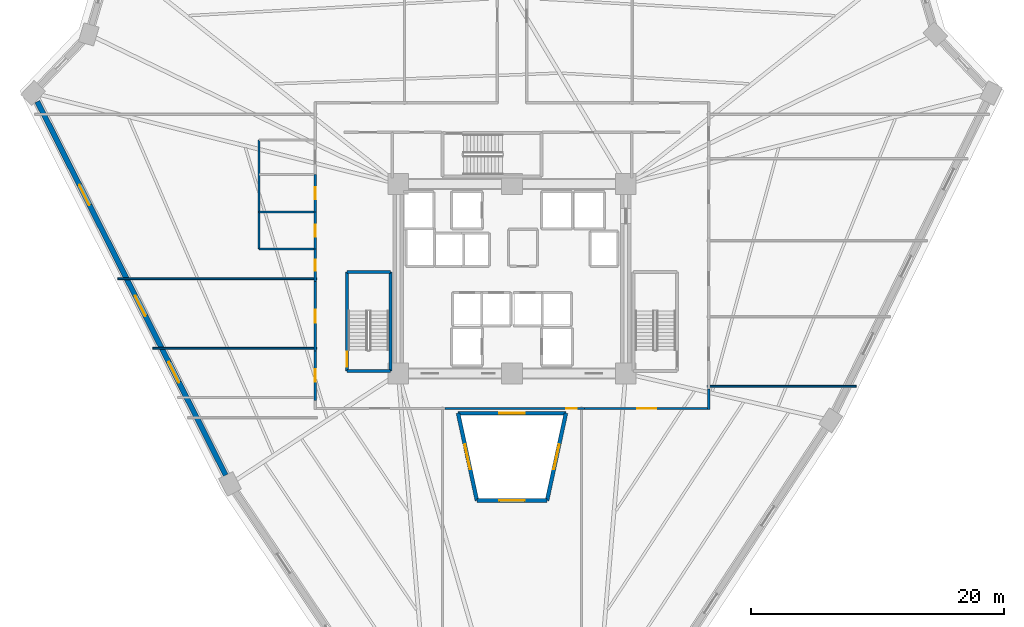
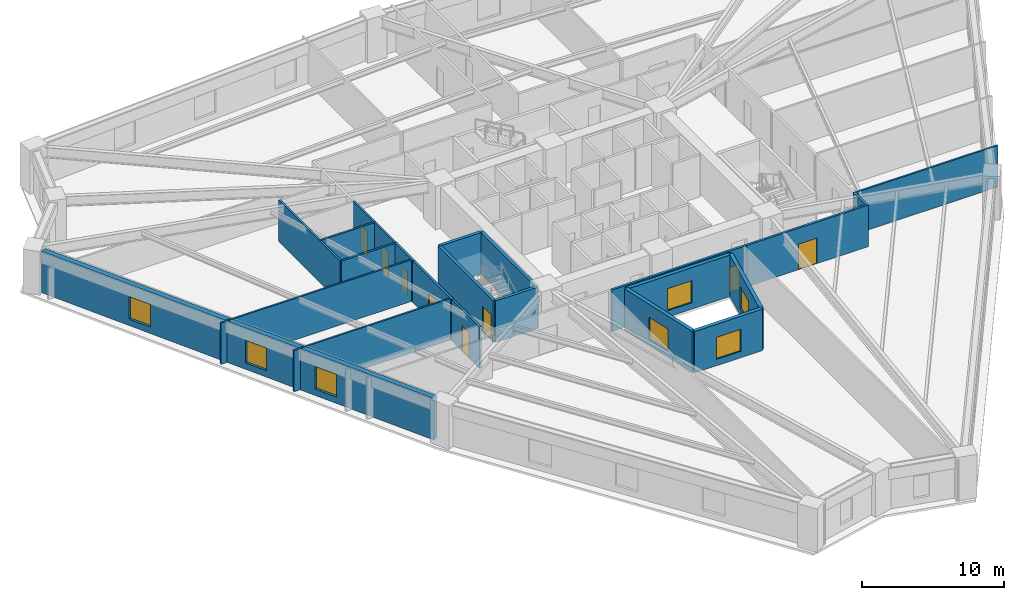
# One storey, part 3 of 8: 23 walls, 8 doors, 7 windows, 15 openings.
"""IFC4 building model written with IfcOpenShell, lengths in metres."""

from ifc_helpers import new_model, si_unit, direction, frame, frame_2d, origin, place, context, subcontext, project, spatial, rectangle, extrude, source, transform, mapped, material, layer, layer_set, type_object, element, fill, save


model = new_model("IFC4")

# Units and contexts
model_context = context("Model", 3, precision=1e-05, world=origin(), true_north=direction((0.0, 1.0)))
body_context = subcontext(model_context, "Body", "Model", "MODEL_VIEW")
ifc_project = project(units=[si_unit("LENGTHUNIT", "METRE"), si_unit("AREAUNIT", "SQUARE_METRE"), si_unit("VOLUMEUNIT", "CUBIC_METRE"), si_unit("PLANEANGLEUNIT", "RADIAN"), si_unit("MASSUNIT", "GRAM", prefix="KILO")], contexts=[model_context])

# Site, building, storey
site_placement = place(None, origin())
site = spatial("IfcSite", under=ifc_project, at=site_placement, CompositionType="ELEMENT")
building_placement = place(site_placement, origin())
building = spatial("IfcBuilding", under=site, at=building_placement, Name="Liaohun Quay Tower", CompositionType="ELEMENT")
storey_placement = place(building_placement, frame((0.0, 0.0, 78.0)))
storey = spatial("IfcBuildingStorey", under=building, at=storey_placement, Name="L20", CompositionType="ELEMENT", Elevation=78.0)

# Wall, opening, window
ifc_material_1 = material(Name="Concrete C50", Category="concrete")
ifc_layer_1 = layer(ifc_material_1, 0.300048828125, Name="Concrete C50", Category="concrete")
ifc_layer_set_1 = layer_set([ifc_layer_1], Name="Concrete C50")
wall_type_1 = type_object("IfcWallType", Name="WAL-ATR-300", PredefinedType="SOLIDWALL", material=ifc_layer_set_1)
wall_1_placement = place(storey_placement, frame((57.22607421875, 36.4609375, 0.0), z_axis=(0.0, 0.0, 1.0), x_axis=(-0.211368462484, 0.977406452336, 0.0)))
wall_1 = element("IfcWall", 1, at=wall_1_placement, inside=storey, type_object=wall_type_1, Name="L20 Atrium Fire Compartment Wall 1", PredefinedType="SOLIDWALL", context=body_context, shape_type="SweptSolid", body=[
    extrude(rectangle(XDim=7.06884765625, YDim=0.300048828125, at=frame_2d((3.534423828125, 0.0))), origin(), (0.0, 0.0, 1.0), 3.570068359375),
])
shared_shape_1 = source(origin(), body_context, "Body", "SweptSolid", [
    extrude(rectangle(XDim=2.0, YDim=1.89990234375, at=frame_2d((1.0, 0.949951171875))), frame((0.0, 0.159912109375, 0.0), z_axis=(0.0, -1.0, 0.0), x_axis=(1.0, 0.0, 0.0)), (0.0, 0.0, 1.0), 0.320068359375),
])
opening_1_placement = place(wall_1_placement, frame((2.533935546875, 0.0, 0.550048828125)))
opening_1 = element("IfcOpeningElement", 2, at=opening_1_placement, cuts=wall_1, Name="Opening W07", PredefinedType="OPENING", context=body_context, shape_type="MappedRepresentation", body=[
    mapped(shared_shape_1, transform((0.0, 0.0, 0.0), x_axis=(1.0, 0.0, 0.0), y_axis=(0.0, 1.0, 0.0), z_axis=(0.0, 0.0, 1.0), scale=1.0)),
])
ifc_material_2 = material(Name="Class A 180-min fire-resistant insulated glazing", Category="glass")
window_type_1 = type_object("IfcWindowType", Name="WIN-ATR-FIR", PartitioningType="DOUBLE_PANEL_VERTICAL", PredefinedType="WINDOW", material=ifc_material_2)
shared_shape_2 = source(origin(), body_context, "Body", "SweptSolid", [
    extrude(rectangle(XDim=2.0, YDim=1.89990234375, at=frame_2d((1.0, 0.949951171875))), frame((0.0, 0.030029296875, 0.0), z_axis=(0.0, -1.0, 0.0), x_axis=(1.0, 0.0, 0.0)), (0.0, 0.0, 1.0), 0.06005859375),
])
window_1_placement = place(opening_1_placement, origin())
window_1 = element("IfcWindow", 3, at=window_1_placement, inside=storey, type_object=window_type_1, Name="L20 Atrium Fire-Resistant Glazing W07-1", OverallHeight=1.89990234375, OverallWidth=2.0, PartitioningType="DOUBLE_PANEL_VERTICAL", PredefinedType="WINDOW", context=body_context, shape_type="MappedRepresentation", body=[
    mapped(shared_shape_2, transform((0.0, 0.0, 0.0), x_axis=(1.0, 0.0, 0.0), y_axis=(0.0, 1.0, 0.0), z_axis=(0.0, 0.0, 1.0), scale=1.0)),
])
fill(opening_1, window_1)

wall_2_placement = place(storey_placement, frame((55.73193359375, 43.3701171875, 0.0), z_axis=(0.0, 0.0, 1.0), x_axis=(1.0, 0.0, 0.0)))
wall_2 = element("IfcWall", 4, at=wall_2_placement, inside=storey, type_object=wall_type_1, Name="L20 Atrium Fire Compartment Wall 2", PredefinedType="SOLIDWALL", context=body_context, shape_type="SweptSolid", body=[
    extrude(rectangle(XDim=8.5361328125, YDim=0.300048828125, at=frame_2d((4.26806640625, 0.0))), origin(), (0.0, 0.0, 1.0), 3.570068359375),
])
opening_2_placement = place(wall_2_placement, frame((3.26806640625, 0.0, 0.550048828125)))
opening_2 = element("IfcOpeningElement", 5, at=opening_2_placement, cuts=wall_2, Name="Opening W07", PredefinedType="OPENING", context=body_context, shape_type="MappedRepresentation", body=[
    mapped(shared_shape_1, transform((0.0, 0.0, 0.0), x_axis=(1.0, 0.0, 0.0), y_axis=(0.0, 1.0, 0.0), z_axis=(0.0, 0.0, 1.0), scale=1.0)),
])
window_2_placement = place(opening_2_placement, origin())
window_2 = element("IfcWindow", 6, at=window_2_placement, inside=storey, type_object=window_type_1, Name="L20 Atrium Fire-Resistant Glazing W07-2", OverallHeight=1.89990234375, OverallWidth=2.0, PartitioningType="DOUBLE_PANEL_VERTICAL", PredefinedType="WINDOW", context=body_context, shape_type="MappedRepresentation", body=[
    mapped(shared_shape_2, transform((0.0, 0.0, 0.0), x_axis=(1.0, 0.0, 0.0), y_axis=(0.0, 1.0, 0.0), z_axis=(0.0, 0.0, 1.0), scale=1.0)),
])
fill(opening_2, window_2)

wall_3_placement = place(storey_placement, frame((64.26806640625, 43.3701171875, 0.0), z_axis=(0.0, 0.0, 1.0), x_axis=(-0.211368462484, -0.977406452336, 0.0)))
wall_3 = element("IfcWall", 7, at=wall_3_placement, inside=storey, type_object=wall_type_1, Name="L20 Atrium Fire Compartment Wall 3", PredefinedType="SOLIDWALL", context=body_context, shape_type="SweptSolid", body=[
    extrude(rectangle(XDim=7.06884765625, YDim=0.300048828125, at=frame_2d((3.534423828125, 0.0))), origin(), (0.0, 0.0, 1.0), 3.570068359375),
])
opening_3_placement = place(wall_3_placement, frame((2.533935546875, 0.0, 0.550048828125)))
opening_3 = element("IfcOpeningElement", 8, at=opening_3_placement, cuts=wall_3, Name="Opening W07", PredefinedType="OPENING", context=body_context, shape_type="MappedRepresentation", body=[
    mapped(shared_shape_1, transform((0.0, 0.0, 0.0), x_axis=(1.0, 0.0, 0.0), y_axis=(0.0, 1.0, 0.0), z_axis=(0.0, 0.0, 1.0), scale=1.0)),
])
window_3_placement = place(opening_3_placement, origin())
window_3 = element("IfcWindow", 9, at=window_3_placement, inside=storey, type_object=window_type_1, Name="L20 Atrium Fire-Resistant Glazing W07-3", OverallHeight=1.89990234375, OverallWidth=2.0, PartitioningType="DOUBLE_PANEL_VERTICAL", PredefinedType="WINDOW", context=body_context, shape_type="MappedRepresentation", body=[
    mapped(shared_shape_2, transform((0.0, 0.0, 0.0), x_axis=(1.0, 0.0, 0.0), y_axis=(0.0, 1.0, 0.0), z_axis=(0.0, 0.0, 1.0), scale=1.0)),
])
fill(opening_3, window_3)

wall_4_placement = place(storey_placement, frame((62.77392578125, 36.4609375, 0.0), z_axis=(0.0, 0.0, 1.0), x_axis=(-1.0, 0.0, 0.0)))
wall_4 = element("IfcWall", 10, at=wall_4_placement, inside=storey, type_object=wall_type_1, Name="L20 Atrium Fire Compartment Wall 4", PredefinedType="SOLIDWALL", context=body_context, shape_type="SweptSolid", body=[
    extrude(rectangle(XDim=5.5478515625, YDim=0.300048828125, at=frame_2d((2.77392578125, 0.0))), origin(), (0.0, 0.0, 1.0), 3.570068359375),
])
opening_4_placement = place(wall_4_placement, frame((1.77392578125, 0.0, 0.550048828125)))
opening_4 = element("IfcOpeningElement", 11, at=opening_4_placement, cuts=wall_4, Name="Opening W07", PredefinedType="OPENING", context=body_context, shape_type="MappedRepresentation", body=[
    mapped(shared_shape_1, transform((0.0, 0.0, 0.0), x_axis=(1.0, 0.0, 0.0), y_axis=(0.0, 1.0, 0.0), z_axis=(0.0, 0.0, 1.0), scale=1.0)),
])
window_4_placement = place(opening_4_placement, origin())
window_4 = element("IfcWindow", 12, at=window_4_placement, inside=storey, type_object=window_type_1, Name="L20 Atrium Fire-Resistant Glazing W07-4", OverallHeight=1.89990234375, OverallWidth=2.0, PartitioningType="DOUBLE_PANEL_VERTICAL", PredefinedType="WINDOW", context=body_context, shape_type="MappedRepresentation", body=[
    mapped(shared_shape_2, transform((0.0, 0.0, 0.0), x_axis=(1.0, 0.0, 0.0), y_axis=(0.0, 1.0, 0.0), z_axis=(0.0, 0.0, 1.0), scale=1.0)),
])
fill(opening_4, window_4)

# Wall, openings, windows
ifc_material_3 = material(Name="Precast concrete C50 insulated sandwich", Category="concrete")
ifc_layer_2 = layer(ifc_material_3, 0.419921875, Name="Precast concrete C50 insulated sandwich", Category="concrete")
ifc_layer_set_2 = layer_set([ifc_layer_2], Name="Precast concrete C50 insulated sandwich")
wall_type_2 = type_object("IfcWallType", Name="WAL-EXT-Z12", PredefinedType="SOLIDWALL", material=ifc_layer_set_2)
wall_5_placement = place(storey_placement, frame((22.4619140625, 68.010009765625, 0.0), z_axis=(0.0, 0.0, 1.0), x_axis=(0.450259201953, -0.89289789509, 0.0)))
wall_5 = element("IfcWall", 13, at=wall_5_placement, inside=storey, type_object=wall_type_2, Name="L20 Brutalist Precast Pier Wall 10", PredefinedType="SOLIDWALL", context=body_context, shape_type="SweptSolid", body=[
    extrude(rectangle(XDim=33.094482421875, YDim=0.419921875, at=frame_2d((16.54736328125, 0.0))), origin(), (0.0, 0.0, 1.0), 3.570068359375),
])
shared_shape_3 = source(origin(), body_context, "Body", "SweptSolid", [
    extrude(rectangle(XDim=1.800048828125, YDim=1.949951171875, at=frame_2d((0.89990234375, 0.97509765625))), frame((0.0, 0.219970703125, 0.0), z_axis=(0.0, -1.0, 0.0), x_axis=(1.0, 0.0, 0.0)), (0.0, 0.0, 1.0), 0.43994140625),
])
opening_5_placement = place(wall_5_placement, frame((7.3740234375, 0.0, 0.550048828125)))
opening_5 = element("IfcOpeningElement", 14, at=opening_5_placement, cuts=wall_5, Name="Opening W01", PredefinedType="OPENING", context=body_context, shape_type="MappedRepresentation", body=[
    mapped(shared_shape_3, transform((0.0, 0.0, 0.0), x_axis=(1.0, 0.0, 0.0), y_axis=(0.0, 1.0, 0.0), z_axis=(0.0, 0.0, 1.0), scale=1.0)),
])
opening_6_placement = place(wall_5_placement, frame((17.197021484375, 0.0, 0.550048828125)))
opening_6 = element("IfcOpeningElement", 15, at=opening_6_placement, cuts=wall_5, Name="Opening W01", PredefinedType="OPENING", context=body_context, shape_type="MappedRepresentation", body=[
    mapped(shared_shape_3, transform((0.0, 0.0, 0.0), x_axis=(1.0, 0.0, 0.0), y_axis=(0.0, 1.0, 0.0), z_axis=(0.0, 0.0, 1.0), scale=1.0)),
])
opening_7_placement = place(wall_5_placement, frame((23.071044921875, 0.0, 0.550048828125)))
opening_7 = element("IfcOpeningElement", 16, at=opening_7_placement, cuts=wall_5, Name="Opening W01", PredefinedType="OPENING", context=body_context, shape_type="MappedRepresentation", body=[
    mapped(shared_shape_3, transform((0.0, 0.0, 0.0), x_axis=(1.0, 0.0, 0.0), y_axis=(0.0, 1.0, 0.0), z_axis=(0.0, 0.0, 1.0), scale=1.0)),
])
ifc_material_4 = material(Name="Triple Low-E argon glazing in thermally broken aluminium", Category="aluminium")
window_type_2 = type_object("IfcWindowType", Name="WIN-PUN-Z1", PartitioningType="DOUBLE_PANEL_VERTICAL", PredefinedType="WINDOW", material=ifc_material_4)
shared_shape_4 = source(origin(), body_context, "Body", "SweptSolid", [
    extrude(rectangle(XDim=1.800048828125, YDim=1.949951171875, at=frame_2d((0.89990234375, 0.97509765625))), frame((0.0, 0.030029296875, 0.0), z_axis=(0.0, -1.0, 0.0), x_axis=(1.0, 0.0, 0.0)), (0.0, 0.0, 1.0), 0.06005859375),
])
window_5_placement = place(opening_5_placement, origin())
window_5 = element("IfcWindow", 17, at=window_5_placement, inside=storey, type_object=window_type_2, Name="L20 Recessed Cold-Climate Punched Window 10-1", OverallHeight=1.949951171875, OverallWidth=1.800048828125, PartitioningType="DOUBLE_PANEL_VERTICAL", PredefinedType="WINDOW", context=body_context, shape_type="MappedRepresentation", body=[
    mapped(shared_shape_4, transform((0.0, 0.0, 0.0), x_axis=(1.0, 0.0, 0.0), y_axis=(0.0, 1.0, 0.0), z_axis=(0.0, 0.0, 1.0), scale=1.0)),
])
fill(opening_5, window_5)
window_6_placement = place(opening_6_placement, origin())
window_6 = element("IfcWindow", 18, at=window_6_placement, inside=storey, type_object=window_type_2, Name="L20 Recessed Cold-Climate Punched Window 10-2", OverallHeight=1.949951171875, OverallWidth=1.800048828125, PartitioningType="DOUBLE_PANEL_VERTICAL", PredefinedType="WINDOW", context=body_context, shape_type="MappedRepresentation", body=[
    mapped(shared_shape_4, transform((0.0, 0.0, 0.0), x_axis=(1.0, 0.0, 0.0), y_axis=(0.0, 1.0, 0.0), z_axis=(0.0, 0.0, 1.0), scale=1.0)),
])
fill(opening_6, window_6)
window_7_placement = place(opening_7_placement, origin())
window_7 = element("IfcWindow", 19, at=window_7_placement, inside=storey, type_object=window_type_2, Name="L20 Recessed Cold-Climate Punched Window 10-3", OverallHeight=1.949951171875, OverallWidth=1.800048828125, PartitioningType="DOUBLE_PANEL_VERTICAL", PredefinedType="WINDOW", context=body_context, shape_type="MappedRepresentation", body=[
    mapped(shared_shape_4, transform((0.0, 0.0, 0.0), x_axis=(1.0, 0.0, 0.0), y_axis=(0.0, 1.0, 0.0), z_axis=(0.0, 0.0, 1.0), scale=1.0)),
])
fill(opening_7, window_7)

# Wall, opening, door
ifc_material_5 = material(Name="Autoclaved aerated concrete blockwork", Category="masonry")
ifc_layer_3 = layer(ifc_material_5, 0.179931640625, Name="Autoclaved aerated concrete blockwork", Category="masonry")
ifc_layer_set_3 = layer_set([ifc_layer_3], Name="Autoclaved aerated concrete blockwork")
wall_type_3 = type_object("IfcWallType", Name="WAL-PRT-COR", PredefinedType="PARTITIONING", material=ifc_layer_set_3)
wall_6_placement = place(storey_placement, frame((44.43994140625, 53.784912109375, 0.0), z_axis=(0.0, 0.0, 1.0), x_axis=(0.0, 1.0, 0.0)))
wall_6 = element("IfcWall", 20, at=wall_6_placement, inside=storey, type_object=wall_type_3, Name="L20 Interior Partition Wall 016", PredefinedType="PARTITIONING", context=body_context, shape_type="SweptSolid", body=[
    extrude(rectangle(XDim=2.55517578125, YDim=0.179931640625, at=frame_2d((1.277587890625, 0.0))), origin(), (0.0, 0.0, 1.0), 3.570068359375),
])
shared_shape_5 = source(origin(), body_context, "Body", "SweptSolid", [
    extrude(rectangle(XDim=0.85009765625, YDim=2.10009765625, at=frame_2d((0.425048828125, 1.050048828125))), frame((0.0, 0.099853515625, 0.0), z_axis=(0.0, -1.0, 0.0), x_axis=(1.0, 0.0, 0.0)), (0.0, 0.0, 1.0), 0.199951171875),
])
opening_8_placement = place(wall_6_placement, frame((0.85302734375, 0.0, 0.0)))
opening_8 = element("IfcOpeningElement", 21, at=opening_8_placement, cuts=wall_6, Name="Opening AD1", PredefinedType="OPENING", context=body_context, shape_type="MappedRepresentation", body=[
    mapped(shared_shape_5, transform((0.0, 0.0, 0.0), x_axis=(1.0, 0.0, 0.0), y_axis=(0.0, 1.0, 0.0), z_axis=(0.0, 0.0, 1.0), scale=1.0)),
])
ifc_material_6 = material(Name="Steel riser inspection fire door", Category="steel")
door_type_1 = type_object("IfcDoorType", Name="DOR-SHF-850", OperationType="NOTDEFINED", PredefinedType="DOOR", material=ifc_material_6)
shared_shape_6 = source(origin(), body_context, "Body", "SweptSolid", [
    extrude(rectangle(XDim=0.85009765625, YDim=2.10009765625, at=frame_2d((0.425048828125, 1.050048828125))), frame((0.0, 0.02490234375, 0.0), z_axis=(0.0, -1.0, 0.0), x_axis=(1.0, 0.0, 0.0)), (0.0, 0.0, 1.0), 0.050048828125),
])
door_1_placement = place(opening_8_placement, origin())
door_1 = element("IfcDoor", 22, at=door_1_placement, inside=storey, type_object=door_type_1, Name="L20 Occupational Wellness Clinic 08 Door", OperationType="SINGLE_SWING_RIGHT", OverallHeight=2.10009765625, OverallWidth=0.85009765625, PredefinedType="DOOR", context=body_context, shape_type="MappedRepresentation", body=[
    mapped(shared_shape_6, transform((0.0, 0.0, 0.0), x_axis=(1.0, 0.0, 0.0), y_axis=(0.0, 1.0, 0.0), z_axis=(0.0, 0.0, 1.0), scale=1.0)),
])
fill(opening_8, door_1)

wall_7_placement = place(storey_placement, frame((44.43994140625, 48.284912109375, 0.0), z_axis=(0.0, 0.0, 1.0), x_axis=(0.0, 1.0, 0.0)))
wall_7 = element("IfcWall", 23, at=wall_7_placement, inside=storey, type_object=wall_type_3, Name="L20 Interior Partition Wall 017", PredefinedType="PARTITIONING", context=body_context, shape_type="SweptSolid", body=[
    extrude(rectangle(XDim=5.5, YDim=0.179931640625, at=frame_2d((2.75, 0.0))), origin(), (0.0, 0.0, 1.0), 3.570068359375),
])
shared_shape_7 = source(origin(), body_context, "Body", "SweptSolid", [
    extrude(rectangle(XDim=1.0, YDim=2.199951171875, at=frame_2d((0.5, 1.10009765625))), frame((0.0, 0.099853515625, 0.0), z_axis=(0.0, -1.0, 0.0), x_axis=(1.0, 0.0, 0.0)), (0.0, 0.0, 1.0), 0.199951171875),
])
opening_9_placement = place(wall_7_placement, frame((2.25, 0.0, 0.0)))
opening_9 = element("IfcOpeningElement", 24, at=opening_9_placement, cuts=wall_7, Name="Opening OD1", PredefinedType="OPENING", context=body_context, shape_type="MappedRepresentation", body=[
    mapped(shared_shape_7, transform((0.0, 0.0, 0.0), x_axis=(1.0, 0.0, 0.0), y_axis=(0.0, 1.0, 0.0), z_axis=(0.0, 0.0, 1.0), scale=1.0)),
])
ifc_material_7 = material(Name="Solid-core oak veneer timber leaf in steel frame", Category="steel")
door_type_2 = type_object("IfcDoorType", Name="DOR-OFF-1000", OperationType="NOTDEFINED", PredefinedType="DOOR", material=ifc_material_7)
shared_shape_8 = source(origin(), body_context, "Body", "SweptSolid", [
    extrude(rectangle(XDim=1.0, YDim=2.199951171875, at=frame_2d((0.5, 1.10009765625))), frame((0.0, 0.02490234375, 0.0), z_axis=(0.0, -1.0, 0.0), x_axis=(1.0, 0.0, 0.0)), (0.0, 0.0, 1.0), 0.050048828125),
])
door_2_placement = place(opening_9_placement, origin())
door_2 = element("IfcDoor", 25, at=door_2_placement, inside=storey, type_object=door_type_2, Name="L20 Records Archive Store 09 Door", OperationType="SINGLE_SWING_LEFT", OverallHeight=2.199951171875, OverallWidth=1.0, PredefinedType="DOOR", context=body_context, shape_type="MappedRepresentation", body=[
    mapped(shared_shape_8, transform((0.0, 0.0, 0.0), x_axis=(1.0, 0.0, 0.0), y_axis=(0.0, 1.0, 0.0), z_axis=(0.0, 0.0, 1.0), scale=1.0)),
])
fill(opening_9, door_2)

wall_8_placement = place(storey_placement, frame((44.43994140625, 44.385009765625, 0.0), z_axis=(0.0, 0.0, 1.0), x_axis=(0.0, 1.0, 0.0)))
wall_8 = element("IfcWall", 26, at=wall_8_placement, inside=storey, type_object=wall_type_3, Name="L20 Interior Partition Wall 018", PredefinedType="PARTITIONING", context=body_context, shape_type="SweptSolid", body=[
    extrude(rectangle(XDim=3.89990234375, YDim=0.179931640625, at=frame_2d((1.949951171875, 0.0))), origin(), (0.0, 0.0, 1.0), 3.570068359375),
])
opening_10_placement = place(wall_8_placement, frame((1.449951171875, 0.0, 0.0)))
opening_10 = element("IfcOpeningElement", 27, at=opening_10_placement, cuts=wall_8, Name="Opening OD1", PredefinedType="OPENING", context=body_context, shape_type="MappedRepresentation", body=[
    mapped(shared_shape_7, transform((0.0, 0.0, 0.0), x_axis=(1.0, 0.0, 0.0), y_axis=(0.0, 1.0, 0.0), z_axis=(0.0, 0.0, 1.0), scale=1.0)),
])
door_3_placement = place(opening_10_placement, origin())
door_3 = element("IfcDoor", 28, at=door_3_placement, inside=storey, type_object=door_type_2, Name="L20 Open-Plan Office Workplace 10 Door", OperationType="SINGLE_SWING_RIGHT", OverallHeight=2.199951171875, OverallWidth=1.0, PredefinedType="DOOR", context=body_context, shape_type="MappedRepresentation", body=[
    mapped(shared_shape_8, transform((0.0, 0.0, 0.0), x_axis=(1.0, 0.0, 0.0), y_axis=(0.0, 1.0, 0.0), z_axis=(0.0, 0.0, 1.0), scale=1.0)),
])
fill(opening_10, door_3)

wall_9_placement = place(storey_placement, frame((65.715087890625, 43.739990234375, 0.0), z_axis=(0.0, 0.0, 1.0), x_axis=(-1.0, 0.0, 0.0)))
wall_9 = element("IfcWall", 29, at=wall_9_placement, inside=storey, type_object=wall_type_3, Name="L20 Interior Partition Wall 020", PredefinedType="PARTITIONING", context=body_context, shape_type="SweptSolid", body=[
    extrude(rectangle(XDim=11.0, YDim=0.179931640625, at=frame_2d((5.5, 0.0))), origin(), (0.0, 0.0, 1.0), 3.570068359375),
])
opening_11_placement = place(wall_9_placement, frame((0.574951171875, 0.0, 0.0)))
opening_11 = element("IfcOpeningElement", 30, at=opening_11_placement, cuts=wall_9, Name="Opening AD1", PredefinedType="OPENING", context=body_context, shape_type="MappedRepresentation", body=[
    mapped(shared_shape_5, transform((0.0, 0.0, 0.0), x_axis=(1.0, 0.0, 0.0), y_axis=(0.0, 1.0, 0.0), z_axis=(0.0, 0.0, 1.0), scale=1.0)),
])
door_4_placement = place(opening_11_placement, origin())
door_4 = element("IfcDoor", 31, at=door_4_placement, inside=storey, type_object=door_type_1, Name="L20 Client Reception Office 12 Door", OperationType="SINGLE_SWING_RIGHT", OverallHeight=2.10009765625, OverallWidth=0.85009765625, PredefinedType="DOOR", context=body_context, shape_type="MappedRepresentation", body=[
    mapped(shared_shape_6, transform((0.0, 0.0, 0.0), x_axis=(1.0, 0.0, 0.0), y_axis=(0.0, 1.0, 0.0), z_axis=(0.0, 0.0, 1.0), scale=1.0)),
])
fill(opening_11, door_4)

wall_10_placement = place(storey_placement, frame((75.6298828125, 43.739990234375, 0.0), z_axis=(0.0, 0.0, 1.0), x_axis=(-1.0, 0.0, 0.0)))
wall_10 = element("IfcWall", 32, at=wall_10_placement, inside=storey, type_object=wall_type_3, Name="L20 Interior Partition Wall 021", PredefinedType="PARTITIONING", context=body_context, shape_type="SweptSolid", body=[
    extrude(rectangle(XDim=9.914794921875, YDim=0.179931640625, at=frame_2d((4.95751953125, 0.0))), origin(), (0.0, 0.0, 1.0), 3.570068359375),
])
shared_shape_9 = source(origin(), body_context, "Body", "SweptSolid", [
    extrude(rectangle(XDim=1.5, YDim=2.199951171875, at=frame_2d((0.75, 1.10009765625))), frame((0.0, 0.099853515625, 0.0), z_axis=(0.0, -1.0, 0.0), x_axis=(1.0, 0.0, 0.0)), (0.0, 0.0, 1.0), 0.199951171875),
])
opening_12_placement = place(wall_10_placement, frame((4.20703125, 0.0, 0.0)))
opening_12 = element("IfcOpeningElement", 33, at=opening_12_placement, cuts=wall_10, Name="Opening OD2", PredefinedType="OPENING", context=body_context, shape_type="MappedRepresentation", body=[
    mapped(shared_shape_9, transform((0.0, 0.0, 0.0), x_axis=(1.0, 0.0, 0.0), y_axis=(0.0, 1.0, 0.0), z_axis=(0.0, 0.0, 1.0), scale=1.0)),
])
ifc_material_8 = material(Name="Acoustic oak veneer double door")
door_type_3 = type_object("IfcDoorType", Name="DOR-OFF-1500", OperationType="DOUBLE_DOOR_SINGLE_SWING", PredefinedType="DOOR", material=ifc_material_8)
shared_shape_10 = source(origin(), body_context, "Body", "SweptSolid", [
    extrude(rectangle(XDim=1.5, YDim=2.199951171875, at=frame_2d((0.75, 1.10009765625))), frame((0.0, 0.02490234375, 0.0), z_axis=(0.0, -1.0, 0.0), x_axis=(1.0, 0.0, 0.0)), (0.0, 0.0, 1.0), 0.050048828125),
])
door_5_placement = place(opening_12_placement, origin())
door_5 = element("IfcDoor", 34, at=door_5_placement, inside=storey, type_object=door_type_3, Name="L20 Regional Advisory Office 13 Door", OperationType="DOUBLE_DOOR_SINGLE_SWING", OverallHeight=2.199951171875, OverallWidth=1.5, PredefinedType="DOOR", context=body_context, shape_type="MappedRepresentation", body=[
    mapped(shared_shape_10, transform((0.0, 0.0, 0.0), x_axis=(1.0, 0.0, 0.0), y_axis=(0.0, 1.0, 0.0), z_axis=(0.0, 0.0, 1.0), scale=1.0)),
])
fill(opening_12, door_5)

# Walls
wall_11_placement = place(storey_placement, frame((75.56005859375, 45.284912109375, 0.0), z_axis=(0.0, 0.0, 1.0), x_axis=(0.0, -1.0, 0.0)))
element("IfcWall", 35, at=wall_11_placement, inside=storey, type_object=wall_type_3, Name="L20 Interior Partition Wall 039", PredefinedType="PARTITIONING", context=body_context, shape_type="SweptSolid", body=[
    extrude(rectangle(XDim=1.614990234375, YDim=0.179931640625, at=frame_2d((0.8076171875, 0.0))), origin(), (0.0, 0.0, 1.0), 3.570068359375),
])
ifc_material_9 = material(Name="Gypsum board on twin steel studs", Category="steel")
ifc_layer_4 = layer(ifc_material_9, 0.139892578125, Name="Gypsum board on twin steel studs", Category="steel")
ifc_layer_set_4 = layer_set([ifc_layer_4], Name="Gypsum board on twin steel studs")
wall_type_4 = type_object("IfcWallType", Name="WAL-PRT-OFF", PredefinedType="PARTITIONING", material=ifc_layer_set_4)
wall_12_placement = place(storey_placement, frame((44.5400390625, 48.5, 0.0), z_axis=(0.0, 0.0, 1.0), x_axis=(-1.0, 0.0, 0.0)))
element("IfcWall", 36, at=wall_12_placement, inside=storey, type_object=wall_type_4, Name="L20 Interior Partition Wall 042", PredefinedType="PARTITIONING", context=body_context, shape_type="SweptSolid", body=[
    extrude(rectangle(XDim=12.946044921875, YDim=0.139892578125, at=frame_2d((6.47314453125, 0.0))), origin(), (0.0, 0.0, 1.0), 3.570068359375),
])
wall_13_placement = place(storey_placement, frame((44.5400390625, 54.0, 0.0), z_axis=(0.0, 0.0, 1.0), x_axis=(-1.0, 0.0, 0.0)))
element("IfcWall", 37, at=wall_13_placement, inside=storey, type_object=wall_type_4, Name="L20 Interior Partition Wall 043", PredefinedType="PARTITIONING", context=body_context, shape_type="SweptSolid", body=[
    extrude(rectangle(XDim=15.718994140625, YDim=0.139892578125, at=frame_2d((7.859375, 0.0))), origin(), (0.0, 0.0, 1.0), 3.570068359375),
])
wall_14_placement = place(storey_placement, frame((75.4599609375, 45.5, 0.0), z_axis=(0.0, 0.0, 1.0), x_axis=(1.0, 0.0, 0.0)))
element("IfcWall", 38, at=wall_14_placement, inside=storey, type_object=wall_type_4, Name="L20 Interior Partition Wall 045", PredefinedType="PARTITIONING", context=body_context, shape_type="SweptSolid", body=[
    extrude(rectangle(XDim=11.759033203125, YDim=0.139892578125, at=frame_2d((5.87939453125, 0.0))), origin(), (0.0, 0.0, 1.0), 3.570068359375),
])

# Wall, opening, door
ifc_material_10 = material(Name="Moisture-resistant masonry blockwork", Category="masonry")
ifc_layer_5 = layer(ifc_material_10, 0.159912109375, Name="Moisture-resistant masonry blockwork", Category="masonry")
ifc_layer_set_5 = layer_set([ifc_layer_5], Name="Moisture-resistant masonry blockwork")
wall_type_5 = type_object("IfcWallType", Name="WAL-PRT-WET", PredefinedType="PARTITIONING", material=ifc_layer_set_5)
wall_15_placement = place(storey_placement, frame((44.43994140625, 56.340087890625, 0.0), z_axis=(0.0, 0.0, 1.0), x_axis=(0.0, 1.0, 0.0)))
wall_15 = element("IfcWall", 39, at=wall_15_placement, inside=storey, type_object=wall_type_5, Name="L20 Interior Partition Wall 002", PredefinedType="PARTITIONING", context=body_context, shape_type="SweptSolid", body=[
    extrude(rectangle(XDim=2.93994140625, YDim=0.159912109375, at=frame_2d((1.469970703125, 0.0))), origin(), (0.0, 0.0, 1.0), 3.570068359375),
])
shared_shape_11 = source(origin(), body_context, "Body", "SweptSolid", [
    extrude(rectangle(XDim=0.949951171875, YDim=2.14990234375, at=frame_2d((0.47509765625, 1.074951171875))), frame((0.0, 0.08984375, 0.0), z_axis=(0.0, -1.0, 0.0), x_axis=(1.0, 0.0, 0.0)), (0.0, 0.0, 1.0), 0.179931640625),
])
opening_13_placement = place(wall_15_placement, frame((0.9951171875, 0.0, 0.0)))
opening_13 = element("IfcOpeningElement", 40, at=opening_13_placement, cuts=wall_15, Name="Opening WD1", PredefinedType="OPENING", context=body_context, shape_type="MappedRepresentation", body=[
    mapped(shared_shape_11, transform((0.0, 0.0, 0.0), x_axis=(1.0, 0.0, 0.0), y_axis=(0.0, 1.0, 0.0), z_axis=(0.0, 0.0, 1.0), scale=1.0)),
])
ifc_material_11 = material(Name="Moisture-resistant laminate timber leaf", Category="wood")
door_type_4 = type_object("IfcDoorType", Name="DOR-WC-950", OperationType="NOTDEFINED", PredefinedType="DOOR", material=ifc_material_11)
shared_shape_12 = source(origin(), body_context, "Body", "SweptSolid", [
    extrude(rectangle(XDim=0.949951171875, YDim=2.14990234375, at=frame_2d((0.47509765625, 1.074951171875))), frame((0.0, 0.02490234375, 0.0), z_axis=(0.0, -1.0, 0.0), x_axis=(1.0, 0.0, 0.0)), (0.0, 0.0, 1.0), 0.050048828125),
])
door_6_placement = place(opening_13_placement, origin())
door_6 = element("IfcDoor", 41, at=door_6_placement, inside=storey, type_object=door_type_4, Name="L20 Male Restroom WC Door", OperationType="SINGLE_SWING_RIGHT", OverallHeight=2.14990234375, OverallWidth=0.949951171875, PredefinedType="DOOR", context=body_context, shape_type="MappedRepresentation", body=[
    mapped(shared_shape_12, transform((0.0, 0.0, 0.0), x_axis=(1.0, 0.0, 0.0), y_axis=(0.0, 1.0, 0.0), z_axis=(0.0, 0.0, 1.0), scale=1.0)),
])
fill(opening_13, door_6)

wall_16_placement = place(storey_placement, frame((44.43994140625, 59.280029296875, 0.0), z_axis=(0.0, 0.0, 1.0), x_axis=(0.0, 1.0, 0.0)))
wall_16 = element("IfcWall", 42, at=wall_16_placement, inside=storey, type_object=wall_type_5, Name="L20 Interior Partition Wall 003", PredefinedType="PARTITIONING", context=body_context, shape_type="SweptSolid", body=[
    extrude(rectangle(XDim=2.9599609375, YDim=0.159912109375, at=frame_2d((1.47998046875, 0.0))), origin(), (0.0, 0.0, 1.0), 3.570068359375),
])
opening_14_placement = place(wall_16_placement, frame((1.0048828125, 0.0, 0.0)))
opening_14 = element("IfcOpeningElement", 43, at=opening_14_placement, cuts=wall_16, Name="Opening WD1", PredefinedType="OPENING", context=body_context, shape_type="MappedRepresentation", body=[
    mapped(shared_shape_11, transform((0.0, 0.0, 0.0), x_axis=(1.0, 0.0, 0.0), y_axis=(0.0, 1.0, 0.0), z_axis=(0.0, 0.0, 1.0), scale=1.0)),
])
door_7_placement = place(opening_14_placement, origin())
door_7 = element("IfcDoor", 44, at=door_7_placement, inside=storey, type_object=door_type_4, Name="L20 Female Restroom WC Door", OperationType="SINGLE_SWING_LEFT", OverallHeight=2.14990234375, OverallWidth=0.949951171875, PredefinedType="DOOR", context=body_context, shape_type="MappedRepresentation", body=[
    mapped(shared_shape_12, transform((0.0, 0.0, 0.0), x_axis=(1.0, 0.0, 0.0), y_axis=(0.0, 1.0, 0.0), z_axis=(0.0, 0.0, 1.0), scale=1.0)),
])
fill(opening_14, door_7)

# Walls
wall_17_placement = place(storey_placement, frame((39.97998046875, 56.340087890625, 0.0), z_axis=(0.0, 0.0, 1.0), x_axis=(0.0, 1.0, 0.0)))
element("IfcWall", 45, at=wall_17_placement, inside=storey, type_object=wall_type_5, Name="L20 Interior Partition Wall 026", PredefinedType="PARTITIONING", context=body_context, shape_type="SweptSolid", body=[
    extrude(rectangle(XDim=8.639892578125, YDim=0.159912109375, at=frame_2d((4.31982421875, 0.0))), origin(), (0.0, 0.0, 1.0), 3.570068359375),
])
for number, where, z_axis, x_axis, name in (
    (46, (39.97998046875, 56.340087890625, 0.0), (0.0, 0.0, 1.0), (1.0, 0.0, 0.0), "L20 Interior Partition Wall 027"),
    (47, (39.97998046875, 59.280029296875, 0.0), (0.0, 0.0, 1.0), (1.0, 0.0, 0.0), "L20 Interior Partition Wall 028"),
):
    element("IfcWall", number, at=place(storey_placement, frame(where, z_axis=z_axis, x_axis=x_axis)), inside=storey, type_object=wall_type_5, Name=name, PredefinedType="PARTITIONING", context=body_context, shape_type="SweptSolid", body=[
        extrude(rectangle(XDim=4.4599609375, YDim=0.159912109375, at=frame_2d((2.22998046875, 0.0))), origin(), (0.0, 0.0, 1.0), 3.570068359375),
    ])
ifc_layer_6 = layer(ifc_material_1, 0.239990234375, Name="Concrete C50", Category="concrete")
ifc_layer_set_6 = layer_set([ifc_layer_6], Name="Concrete C50")
wall_type_6 = type_object("IfcWallType", Name="WAL-SHF-200", PredefinedType="SOLIDWALL", material=ifc_layer_set_6)
wall_18_placement = place(storey_placement, frame((46.93994140625, 46.699951171875, 0.0), z_axis=(0.0, 0.0, 1.0), x_axis=(1.0, 0.0, 0.0)))
element("IfcWall", 48, at=wall_18_placement, inside=storey, type_object=wall_type_6, Name="L20 Stairwell ST-1 Structural Core Wall S", PredefinedType="SOLIDWALL", context=body_context, shape_type="SweptSolid", body=[
    extrude(rectangle(XDim=3.43994140625, YDim=0.239990234375, at=frame_2d((1.719970703125, 0.0))), origin(), (0.0, 0.0, 1.0), 3.570068359375),
])
wall_19_placement = place(storey_placement, frame((50.3798828125, 46.699951171875, 0.0), z_axis=(0.0, 0.0, 1.0), x_axis=(0.0, 1.0, 0.0)))
element("IfcWall", 49, at=wall_19_placement, inside=storey, type_object=wall_type_6, Name="L20 Stairwell ST-1 Structural Core Wall E", PredefinedType="SOLIDWALL", context=body_context, shape_type="SweptSolid", body=[
    extrude(rectangle(XDim=7.820068359375, YDim=0.239990234375, at=frame_2d((3.91015625, 0.0))), origin(), (0.0, 0.0, 1.0), 3.570068359375),
])
wall_20_placement = place(storey_placement, frame((50.3798828125, 54.52001953125, 0.0), z_axis=(0.0, 0.0, 1.0), x_axis=(-1.0, 0.0, 0.0)))
element("IfcWall", 50, at=wall_20_placement, inside=storey, type_object=wall_type_6, Name="L20 Stairwell ST-1 Structural Core Wall N", PredefinedType="SOLIDWALL", context=body_context, shape_type="SweptSolid", body=[
    extrude(rectangle(XDim=3.43994140625, YDim=0.239990234375, at=frame_2d((1.719970703125, 0.0))), origin(), (0.0, 0.0, 1.0), 3.570068359375),
])

# Wall, opening, door
wall_21_placement = place(storey_placement, frame((46.93994140625, 54.52001953125, 0.0), z_axis=(0.0, 0.0, 1.0), x_axis=(0.0, -1.0, 0.0)))
wall_21 = element("IfcWall", 51, at=wall_21_placement, inside=storey, type_object=wall_type_6, Name="L20 Stairwell ST-1 Structural Core Wall W", PredefinedType="SOLIDWALL", context=body_context, shape_type="SweptSolid", body=[
    extrude(rectangle(XDim=7.820068359375, YDim=0.239990234375, at=frame_2d((3.91015625, 0.0))), origin(), (0.0, 0.0, 1.0), 3.570068359375),
])
shared_shape_13 = source(origin(), body_context, "Body", "SweptSolid", [
    extrude(rectangle(XDim=1.199951171875, YDim=2.199951171875, at=frame_2d((0.60009765625, 1.10009765625))), frame((0.0, 0.1298828125, 0.0), z_axis=(0.0, -1.0, 0.0), x_axis=(1.0, 0.0, 0.0)), (0.0, 0.0, 1.0), 0.260009765625),
])
opening_15_placement = place(wall_21_placement, frame((6.300048828125, 0.0, 0.0)))
opening_15 = element("IfcOpeningElement", 52, at=opening_15_placement, cuts=wall_21, Name="Opening SD1", PredefinedType="OPENING", context=body_context, shape_type="MappedRepresentation", body=[
    mapped(shared_shape_13, transform((0.0, 0.0, 0.0), x_axis=(1.0, 0.0, 0.0), y_axis=(0.0, 1.0, 0.0), z_axis=(0.0, 0.0, 1.0), scale=1.0)),
])
ifc_material_12 = material(Name="Galvanised steel fire door", Category="steel")
door_type_5 = type_object("IfcDoorType", Name="DOR-STR-1200", OperationType="NOTDEFINED", PredefinedType="DOOR", material=ifc_material_12)
shared_shape_14 = source(origin(), body_context, "Body", "SweptSolid", [
    extrude(rectangle(XDim=1.199951171875, YDim=2.199951171875, at=frame_2d((0.60009765625, 1.10009765625))), frame((0.0, 0.02490234375, 0.0), z_axis=(0.0, -1.0, 0.0), x_axis=(1.0, 0.0, 0.0)), (0.0, 0.0, 1.0), 0.050048828125),
])
door_8_placement = place(opening_15_placement, origin())
door_8 = element("IfcDoor", 53, at=door_8_placement, inside=storey, type_object=door_type_5, Name="L20 Protected Stair ST-1 Fire Door", OperationType="SINGLE_SWING_LEFT", OverallHeight=2.199951171875, OverallWidth=1.199951171875, PredefinedType="DOOR", context=body_context, shape_type="MappedRepresentation", body=[
    mapped(shared_shape_14, transform((0.0, 0.0, 0.0), x_axis=(1.0, 0.0, 0.0), y_axis=(0.0, 1.0, 0.0), z_axis=(0.0, 0.0, 1.0), scale=1.0)),
])
fill(opening_15, door_8)

save(model, "model.ifc")
